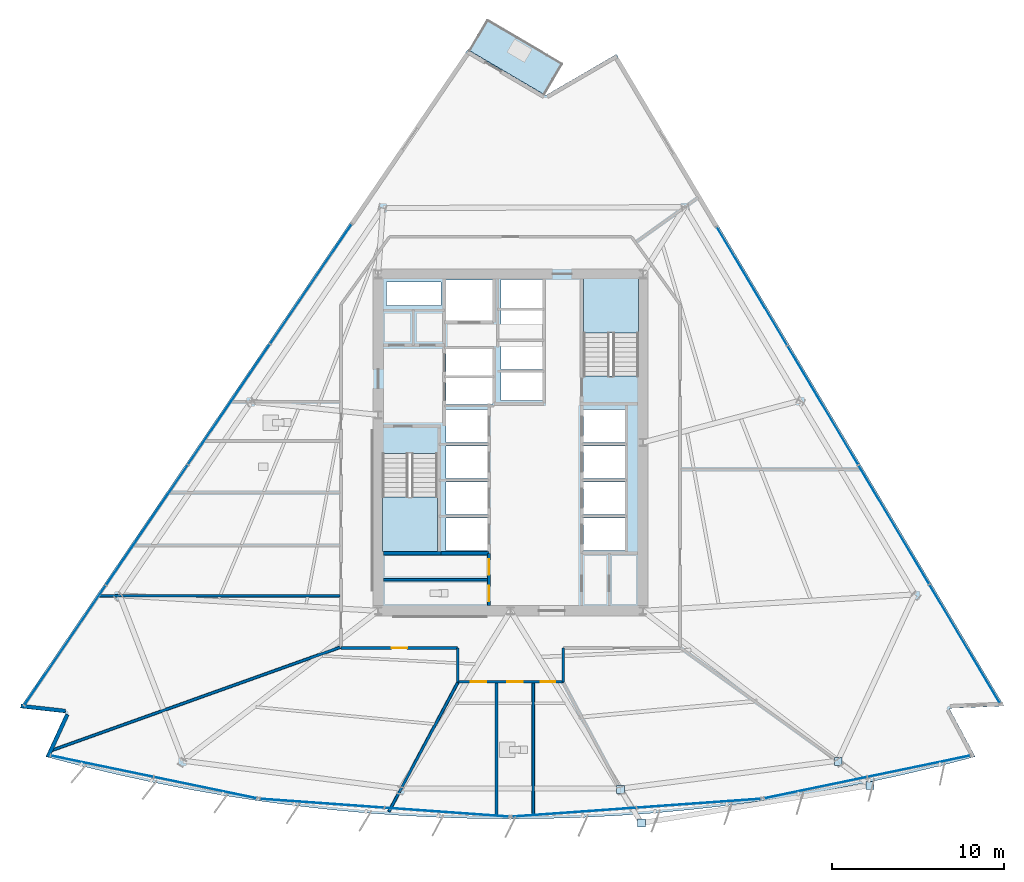
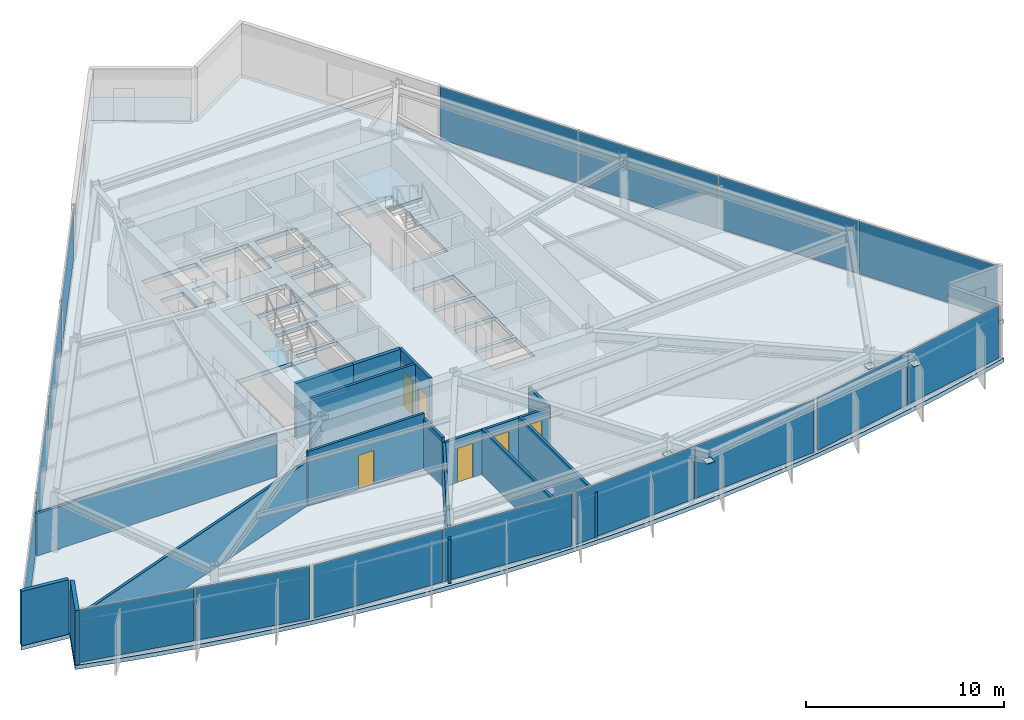
# One storey, part 7 of 15: 20 plates, 15 walls, 6 doors, 4 slabs, 6 openings, 8 elements without a shape of their own.
"""IFC4 building model written with IfcOpenShell, lengths in metres."""

from ifc_helpers import new_model, si_unit, direction, frame, frame_2d, origin, origin_2d, place, context, subcontext, project, spatial, polyline, rectangle, outline, extrude, material, layer, layer_set, type_object, element, fill, aggregate, save


model = new_model("IFC4")

# Units and contexts
model_context = context("Model", 3, precision=1e-05, world=origin(), true_north=direction((0.0, 1.0)))
body_context = subcontext(model_context, "Body", "Model", "MODEL_VIEW")
ifc_project = project(units=[si_unit("LENGTHUNIT", "METRE"), si_unit("AREAUNIT", "SQUARE_METRE"), si_unit("VOLUMEUNIT", "CUBIC_METRE"), si_unit("PLANEANGLEUNIT", "RADIAN"), si_unit("MASSUNIT", "GRAM", prefix="KILO")], contexts=[model_context])

# Site, building, storey
site_placement = place(None, origin())
site = spatial("IfcSite", under=ifc_project, at=site_placement, CompositionType="ELEMENT")
building_placement = place(site_placement, origin())
building = spatial("IfcBuilding", under=site, at=building_placement, Name="Savorim Split Tower", CompositionType="ELEMENT")
storey_placement = place(building_placement, frame((0.0, 0.0, 89.699951171875)))
storey = spatial("IfcBuildingStorey", under=building, at=storey_placement, Name="L23", CompositionType="ELEMENT", Elevation=89.699951171875)

# Curtain wall, plates
ifc_material_1 = material(Name="Dark Ceramic-Fritted Insulated Glass", Category="glass")
curtain_wall_type = type_object("IfcCurtainWallType", Name="CW-TWR-FRIT-A", PredefinedType="NOTDEFINED", material=ifc_material_1)
curtain_wall_1_placement = place(storey_placement, origin())
curtain_wall_1 = element("IfcCurtainWall", 1, at=curtain_wall_1_placement, inside=storey, type_object=curtain_wall_type, Name="L23 Curtain Wall CW-L23-SF1", PredefinedType="NOTDEFINED")
ifc_layer_1 = layer(ifc_material_1, 0.028076171875)
ifc_layer_set_1 = layer_set([ifc_layer_1], Name="CWP-FRITA-28")
plate_type_1 = type_object("IfcPlateType", Name="CWP-FRITA-28", PredefinedType="CURTAIN_PANEL", material=ifc_layer_set_1)
plate_1_placement = place(storey_placement, frame((-23.7607421875, -18.440673828125, 0.05517578125), z_axis=(0.0, 0.0, 1.0), x_axis=(0.979135145772, -0.203210153081, 0.0)))
plate_1 = element("IfcPlate", 2, at=plate_1_placement, type_object=plate_type_1, Name="CW-02 panel 1.1", PredefinedType="CURTAIN_PANEL", context=body_context, shape_type="SweptSolid", body=[
    extrude(rectangle(XDim=6.072021484375, YDim=0.028076171875, at=origin_2d()), origin(), (0.0, 0.0, 1.0), 3.239990234375),
])
plate_2_placement = place(storey_placement, frame((-17.751708984375, -19.687744140625, 0.05517578125), z_axis=(0.0, 0.0, 1.0), x_axis=(0.979135145772, -0.203210153081, 0.0)))
plate_2 = element("IfcPlate", 3, at=plate_2_placement, type_object=plate_type_1, Name="CW-02 panel 2.1", PredefinedType="CURTAIN_PANEL", context=body_context, shape_type="SweptSolid", body=[
    extrude(rectangle(XDim=6.072021484375, YDim=0.028076171875, at=origin_2d()), origin(), (0.0, 0.0, 1.0), 3.239990234375),
])
aggregate(curtain_wall_1, [plate_1, plate_2])

curtain_wall_2_placement = place(storey_placement, origin())
curtain_wall_2 = element("IfcCurtainWall", 4, at=curtain_wall_2_placement, inside=storey, type_object=curtain_wall_type, Name="L23 Curtain Wall CW-L23-SF2", PredefinedType="NOTDEFINED")
plate_3_placement = place(storey_placement, frame((-10.9560546875, -20.594482421875, 0.05517578125), z_axis=(0.0, 0.0, 1.0), x_axis=(0.997436258114, -0.071560540796, 0.0)))
plate_3 = element("IfcPlate", 5, at=plate_3_placement, type_object=plate_type_1, Name="CW-02 panel 1.1", PredefinedType="CURTAIN_PANEL", context=body_context, shape_type="SweptSolid", body=[
    extrude(rectangle(XDim=7.201904296875, YDim=0.028076171875, at=origin_2d()), origin(), (0.0, 0.0, 1.0), 3.239990234375),
])
plate_4_placement = place(storey_placement, frame((-3.707763671875, -21.114501953125, 0.05517578125), z_axis=(0.0, 0.0, 1.0), x_axis=(0.997436258114, -0.071560540796, 0.0)))
plate_4 = element("IfcPlate", 6, at=plate_4_placement, type_object=plate_type_1, Name="CW-02 panel 2.1", PredefinedType="CURTAIN_PANEL", context=body_context, shape_type="SweptSolid", body=[
    extrude(rectangle(XDim=7.201904296875, YDim=0.028076171875, at=origin_2d()), origin(), (0.0, 0.0, 1.0), 3.239990234375),
])
aggregate(curtain_wall_2, [plate_3, plate_4])

curtain_wall_3_placement = place(storey_placement, origin())
curtain_wall_3 = element("IfcCurtainWall", 7, at=curtain_wall_3_placement, inside=storey, type_object=curtain_wall_type, Name="L23 Curtain Wall CW-L23-SF3", PredefinedType="NOTDEFINED")
plate_5_placement = place(storey_placement, frame((3.707763671875, -21.114501953125, 0.05517578125), z_axis=(0.0, 0.0, 1.0), x_axis=(0.997436258114, 0.071560540796, 0.0)))
plate_5 = element("IfcPlate", 8, at=plate_5_placement, type_object=plate_type_1, Name="CW-02 panel 1.1", PredefinedType="CURTAIN_PANEL", context=body_context, shape_type="SweptSolid", body=[
    extrude(rectangle(XDim=7.201904296875, YDim=0.028076171875, at=origin_2d()), origin(), (0.0, 0.0, 1.0), 3.239990234375),
])
plate_6_placement = place(storey_placement, frame((10.9560546875, -20.594482421875, 0.05517578125), z_axis=(0.0, 0.0, 1.0), x_axis=(0.997436258114, 0.071560540796, 0.0)))
plate_6 = element("IfcPlate", 9, at=plate_6_placement, type_object=plate_type_1, Name="CW-02 panel 2.1", PredefinedType="CURTAIN_PANEL", context=body_context, shape_type="SweptSolid", body=[
    extrude(rectangle(XDim=7.201904296875, YDim=0.028076171875, at=origin_2d()), origin(), (0.0, 0.0, 1.0), 3.239990234375),
])
aggregate(curtain_wall_3, [plate_5, plate_6])

curtain_wall_4_placement = place(storey_placement, origin())
curtain_wall_4 = element("IfcCurtainWall", 10, at=curtain_wall_4_placement, inside=storey, type_object=curtain_wall_type, Name="L23 Curtain Wall CW-L23-SF4", PredefinedType="NOTDEFINED")
plate_7_placement = place(storey_placement, frame((17.751708984375, -19.687744140625, 0.05517578125), z_axis=(0.0, 0.0, 1.0), x_axis=(0.979135145772, 0.203210153081, 0.0)))
plate_7 = element("IfcPlate", 11, at=plate_7_placement, type_object=plate_type_1, Name="CW-02 panel 1.1", PredefinedType="CURTAIN_PANEL", context=body_context, shape_type="SweptSolid", body=[
    extrude(rectangle(XDim=6.072021484375, YDim=0.028076171875, at=origin_2d()), origin(), (0.0, 0.0, 1.0), 3.239990234375),
])
plate_8_placement = place(storey_placement, frame((23.7607421875, -18.440673828125, 0.05517578125), z_axis=(0.0, 0.0, 1.0), x_axis=(0.979135145772, 0.203210153081, 0.0)))
plate_8 = element("IfcPlate", 12, at=plate_8_placement, type_object=plate_type_1, Name="CW-02 panel 2.1", PredefinedType="CURTAIN_PANEL", context=body_context, shape_type="SweptSolid", body=[
    extrude(rectangle(XDim=6.072021484375, YDim=0.028076171875, at=origin_2d()), origin(), (0.0, 0.0, 1.0), 3.239990234375),
])
aggregate(curtain_wall_4, [plate_7, plate_8])

curtain_wall_5_placement = place(storey_placement, origin())
curtain_wall_5 = element("IfcCurtainWall", 13, at=curtain_wall_5_placement, inside=storey, type_object=curtain_wall_type, Name="L23 Curtain Wall CW-L23-EAST", PredefinedType="NOTDEFINED")
plate_9_placement = place(storey_placement, frame((26.423583984375, -11.32275390625, 0.05517578125), z_axis=(0.0, 0.0, 1.0), x_axis=(-0.511094481315, 0.859524537852, 0.0)))
plate_9 = element("IfcPlate", 14, at=plate_9_placement, type_object=plate_type_1, Name="CW-02 panel 1.1", PredefinedType="CURTAIN_PANEL", context=body_context, shape_type="SweptSolid", body=[
    extrude(rectangle(XDim=7.983154296875, YDim=0.028076171875, at=origin_2d()), origin(), (0.0, 0.0, 1.0), 3.239990234375),
])
plate_10_placement = place(storey_placement, frame((22.3017578125, -4.39111328125, 0.05517578125), z_axis=(0.0, 0.0, 1.0), x_axis=(-0.511094481315, 0.859524537852, 0.0)))
plate_10 = element("IfcPlate", 15, at=plate_10_placement, type_object=plate_type_1, Name="CW-02 panel 2.1", PredefinedType="CURTAIN_PANEL", context=body_context, shape_type="SweptSolid", body=[
    extrude(rectangle(XDim=8.015625, YDim=0.028076171875, at=origin_2d()), origin(), (0.0, 0.0, 1.0), 3.239990234375),
])
plate_11_placement = place(storey_placement, frame((18.171630859375, 2.554443359375, 0.05517578125), z_axis=(0.0, 0.0, 1.0), x_axis=(-0.511094481315, 0.859524537852, 0.0)))
plate_11 = element("IfcPlate", 16, at=plate_11_placement, type_object=plate_type_1, Name="CW-02 panel 3.1", PredefinedType="CURTAIN_PANEL", context=body_context, shape_type="SweptSolid", body=[
    extrude(rectangle(XDim=8.015625, YDim=0.028076171875, at=origin_2d()), origin(), (0.0, 0.0, 1.0), 3.239990234375),
])
plate_12_placement = place(storey_placement, frame((14.050048828125, 9.486083984375, 0.05517578125), z_axis=(0.0, 0.0, 1.0), x_axis=(-0.511094481315, 0.859524537852, 0.0)))
plate_12 = element("IfcPlate", 17, at=plate_12_placement, type_object=plate_type_1, Name="CW-02 panel 4.1", PredefinedType="CURTAIN_PANEL", context=body_context, shape_type="SweptSolid", body=[
    extrude(rectangle(XDim=7.983154296875, YDim=0.028076171875, at=origin_2d()), origin(), (0.0, 0.0, 1.0), 3.239990234375),
])
aggregate(curtain_wall_5, [plate_9, plate_10, plate_11, plate_12])

curtain_wall_6_placement = place(storey_placement, origin())
curtain_wall_6 = element("IfcCurtainWall", 18, at=curtain_wall_6_placement, inside=storey, type_object=curtain_wall_type, Name="L23 Curtain Wall CW-L23-WEST", PredefinedType="NOTDEFINED")
plate_13_placement = place(storey_placement, frame((-11.61328125, 9.613525390625, 0.05517578125), z_axis=(0.0, 0.0, 1.0), x_axis=(-0.562467515846, -0.826819383915, 0.0)))
plate_13 = element("IfcPlate", 19, at=plate_13_placement, type_object=plate_type_1, Name="CW-02 panel 1.1", PredefinedType="CURTAIN_PANEL", context=body_context, shape_type="SweptSolid", body=[
    extrude(rectangle(XDim=8.39013671875, YDim=0.028076171875, at=origin_2d()), origin(), (0.0, 0.0, 1.0), 3.239990234375),
])
plate_14_placement = place(storey_placement, frame((-16.378173828125, 2.609375, 0.05517578125), z_axis=(0.0, 0.0, 1.0), x_axis=(-0.562467515846, -0.826819383915, 0.0)))
plate_14 = element("IfcPlate", 20, at=plate_14_placement, type_object=plate_type_1, Name="CW-02 panel 2.1", PredefinedType="CURTAIN_PANEL", context=body_context, shape_type="SweptSolid", body=[
    extrude(rectangle(XDim=8.422607421875, YDim=0.028076171875, at=origin_2d()), origin(), (0.0, 0.0, 1.0), 3.239990234375),
])
plate_15_placement = place(storey_placement, frame((-21.15234375, -4.408447265625, 0.05517578125), z_axis=(0.0, 0.0, 1.0), x_axis=(-0.562467515846, -0.826819383915, 0.0)))
plate_15 = element("IfcPlate", 21, at=plate_15_placement, type_object=plate_type_1, Name="CW-02 panel 3.1", PredefinedType="CURTAIN_PANEL", context=body_context, shape_type="SweptSolid", body=[
    extrude(rectangle(XDim=8.422607421875, YDim=0.028076171875, at=origin_2d()), origin(), (0.0, 0.0, 1.0), 3.239990234375),
])
plate_16_placement = place(storey_placement, frame((-25.917236328125, -11.412841796875, 0.05517578125), z_axis=(0.0, 0.0, 1.0), x_axis=(-0.562467515846, -0.826819383915, 0.0)))
plate_16 = element("IfcPlate", 22, at=plate_16_placement, type_object=plate_type_1, Name="CW-02 panel 4.1", PredefinedType="CURTAIN_PANEL", context=body_context, shape_type="SweptSolid", body=[
    extrude(rectangle(XDim=8.39013671875, YDim=0.028076171875, at=origin_2d()), origin(), (0.0, 0.0, 1.0), 3.239990234375),
])
aggregate(curtain_wall_6, [plate_13, plate_14, plate_15, plate_16])

# Plates
ifc_material_2 = material(Name="Steel S460", Category="steel")
ifc_layer_2 = layer(ifc_material_2, 0.02490234375)
ifc_layer_set_2 = layer_set([ifc_layer_2], Name="PLT-NODE-CN1")
plate_type_2 = type_object("IfcPlateType", Name="PLT-NODE-CN1", PredefinedType="SHEET", material=ifc_layer_set_2)
for number, where, z_axis, x_axis, name in (
    (23, (6.3916015625, -19.78564453125, 2.4375), (0.0, 0.0, 1.0), (1.0, 0.0, 0.0), "L23 Bay Strut Column Gusset Plate 1"),
    (24, (7.617919921875, -21.7451171875, 2.8076171875), (0.0, 0.0, 1.0), (1.0, 0.0, 0.0), "L23 Bay Strut Tip Gusset Plate 1"),
    (25, (19.071044921875, -18.15771484375, 2.4375), (0.0, 0.0, 1.0), (1.0, 0.0, 0.0), "L23 Bay Strut Column Gusset Plate 2"),
    (26, (20.91064453125, -19.55126953125, 2.8076171875), (0.0, 0.0, 1.0), (1.0, 0.0, 0.0), "L23 Bay Strut Tip Gusset Plate 2"),
):
    element("IfcPlate", number, at=place(storey_placement, frame(where, z_axis=z_axis, x_axis=x_axis)), inside=storey, type_object=plate_type_2, Name=name, PredefinedType="SHEET", context=body_context, shape_type="SweptSolid", body=[
        extrude(rectangle(XDim=0.4599609375, YDim=0.4599609375, at=origin_2d()), origin(), (0.0, 0.0, 1.0), 0.02490234375),
    ])

# Slab
ifc_material_3 = material(Name="Concrete C50/60", Category="concrete")
ifc_layer_3 = layer(ifc_material_3, 0.219970703125)
ifc_layer_set_3 = layer_set([ifc_layer_3], Name="SLB-BAL-220")
slab_type_1 = type_object("IfcSlabType", Name="SLB-BAL-220", PredefinedType="FLOOR", material=ifc_layer_set_3)
slab_1_placement = place(storey_placement, frame((0.0, 0.0, -0.219970703125)))
element("IfcSlab", 27, at=slab_1_placement, inside=storey, type_object=slab_type_1, Name="L23 Notched Corner Planted Tree Balcony Slab", PredefinedType="FLOOR", context=body_context, shape_type="SweptSolid", body=[
    extrude(outline(polyline([(-2.377197265625, 23.191650390625), (1.94580078125, 20.650634765625), (2.98193359375, 22.413818359375), (-1.341064453125, 24.95458984375), (-2.377197265625, 23.191650390625)])), origin(), (0.0, 0.0, 1.0), 0.219970703125),
])

# Stair, slab
stair_type = type_object("IfcStairType", Name="STR-DOG-3600", PredefinedType="HALF_TURN_STAIR", material=ifc_material_3)
stair_1_placement = place(storey_placement, origin())
stair_1 = element("IfcStair", 28, at=stair_1_placement, inside=storey, type_object=stair_type, Name="L23 Core Protected Exit Stair ST-1", PredefinedType="HALF_TURN_STAIR")
ifc_layer_4 = layer(ifc_material_3, 0.199951171875)
ifc_layer_set_4 = layer_set([ifc_layer_4], Name="SLB-LND-200")
slab_type_2 = type_object("IfcSlabType", Name="SLB-LND-200", PredefinedType="LANDING", material=ifc_layer_set_4)
slab_2_placement = place(storey_placement, frame((0.0, 0.0, 1.60009765625)))
slab_2 = element("IfcSlab", 29, at=slab_2_placement, type_object=slab_type_2, Name="ST-1 landing 1", PredefinedType="LANDING", context=body_context, shape_type="SweptSolid", body=[
    extrude(outline(polyline([(-7.449951171875, -2.77001953125), (-7.449951171875, -5.949951171875), (-4.25, -5.949951171875), (-4.25, -2.77001953125), (-7.449951171875, -2.77001953125)])), origin(), (0.0, 0.0, 1.0), 0.199951171875),
])
aggregate(stair_1, [slab_2])

stair_2_placement = place(storey_placement, origin())
stair_2 = element("IfcStair", 30, at=stair_2_placement, inside=storey, type_object=stair_type, Name="L23 Core Protected Exit Stair ST-2", PredefinedType="HALF_TURN_STAIR")
slab_3_placement = place(storey_placement, frame((0.0, 0.0, 1.60009765625)))
slab_3 = element("IfcSlab", 31, at=slab_3_placement, type_object=slab_type_2, Name="ST-2 landing 1", PredefinedType="LANDING", context=body_context, shape_type="SweptSolid", body=[
    extrude(outline(polyline([(7.449951171875, 6.77001953125), (7.449951171875, 9.949951171875), (4.25, 9.949951171875), (4.25, 6.77001953125), (7.449951171875, 6.77001953125)])), origin(), (0.0, 0.0, 1.0), 0.199951171875),
])
aggregate(stair_2, [slab_3])

# Slab
ifc_layer_5 = layer(ifc_material_3, 0.25)
ifc_layer_set_5 = layer_set([ifc_layer_5], Name="SLB-TWR-250")
slab_type_3 = type_object("IfcSlabType", Name="SLB-TWR-250", PredefinedType="FLOOR", material=ifc_layer_set_5)
slab_4_placement = place(storey_placement, frame((0.0, 0.0, -0.25)))
element("IfcSlab", 32, at=slab_4_placement, inside=storey, type_object=slab_type_3, Name="L23 Structural Floor Slab", PredefinedType="FLOOR", context=body_context, shape_type="SweptSolid", body=[
    extrude(outline(polyline([(-27.036865234375, -17.88330078125), (-25.000732421875, -18.415771484375), (-22.954345703125, -18.90625), (-20.898193359375, -19.35498046875), (-18.83349609375, -19.76171875), (-16.7607421875, -20.125732421875), (-14.68115234375, -20.447509765625), (-12.59521484375, -20.7265625), (-10.504150390625, -20.962890625), (-8.40869140625, -21.156494140625), (-6.3095703125, -21.30712890625), (-4.207763671875, -21.414794921875), (-2.104248046875, -21.479248046875), (0.0, -21.500732421875), (2.104248046875, -21.479248046875), (4.207763671875, -21.414794921875), (6.3095703125, -21.30712890625), (8.40869140625, -21.156494140625), (10.504150390625, -20.962890625), (12.59521484375, -20.7265625), (14.68115234375, -20.447509765625), (16.7607421875, -20.125732421875), (18.83349609375, -19.76171875), (20.898193359375, -19.35498046875), (22.954345703125, -18.90625), (25.000732421875, -18.415771484375), (27.036865234375, -17.88330078125), (25.52880859375, -15.072998046875), (28.71240234375, -14.9375), (6.1630859375, 22.984619140625), (2.046875, 20.585693359375), (-2.4833984375, 23.248046875), (-28.536376953125, -15.049560546875), (-25.87158203125, -15.34716796875), (-27.036865234375, -17.88330078125)]), holes=[polyline([(-7.449951171875, -0.25390625), (-7.449951171875, -5.949951171875), (-4.25, -5.949951171875), (-4.25, -0.25390625), (-7.449951171875, -0.25390625)]), polyline([(7.449951171875, 4.25390625), (7.449951171875, 9.949951171875), (4.25, 9.949951171875), (4.25, 4.25390625), (7.449951171875, 4.25390625)]), polyline([(4.25, -5.89990234375), (6.64990234375, -5.89990234375), (6.64990234375, -4.0), (4.25, -4.0), (4.25, -5.89990234375)]), polyline([(4.25, -3.800048828125), (6.64990234375, -3.800048828125), (6.64990234375, -1.89990234375), (4.25, -1.89990234375), (4.25, -3.800048828125)]), polyline([(4.25, -1.699951171875), (6.64990234375, -1.699951171875), (6.64990234375, 0.199951171875), (4.25, 0.199951171875), (4.25, -1.699951171875)]), polyline([(4.25, 0.39990234375), (6.64990234375, 0.39990234375), (6.64990234375, 2.300048828125), (4.25, 2.300048828125), (4.25, 0.39990234375)]), polyline([(-3.75, -5.89990234375), (-1.35009765625, -5.89990234375), (-1.35009765625, -4.0), (-3.75, -4.0), (-3.75, -5.89990234375)]), polyline([(-3.75, -3.800048828125), (-1.35009765625, -3.800048828125), (-1.35009765625, -1.89990234375), (-3.75, -1.89990234375), (-3.75, -3.800048828125)]), polyline([(-3.75, -1.699951171875), (-1.35009765625, -1.699951171875), (-1.35009765625, 0.199951171875), (-3.75, 0.199951171875), (-3.75, -1.699951171875)]), polyline([(-3.75, 0.39990234375), (-1.35009765625, 0.39990234375), (-1.35009765625, 2.300048828125), (-3.75, 2.300048828125), (-3.75, 0.39990234375)]), polyline([(-0.550048828125, 2.830078125), (1.85009765625, 2.830078125), (1.85009765625, 4.469970703125), (-0.550048828125, 4.469970703125), (-0.550048828125, 2.830078125)]), polyline([(-0.550048828125, 4.6298828125), (1.85009765625, 4.6298828125), (1.85009765625, 6.27001953125), (-0.550048828125, 6.27001953125), (-0.550048828125, 4.6298828125)]), polyline([(-0.550048828125, 6.429931640625), (1.85009765625, 6.429931640625), (1.85009765625, 8.070068359375), (-0.550048828125, 8.070068359375), (-0.550048828125, 6.429931640625)]), polyline([(-0.550048828125, 8.22998046875), (1.85009765625, 8.22998046875), (1.85009765625, 9.8701171875), (-0.550048828125, 9.8701171875), (-0.550048828125, 8.22998046875)]), polyline([(-3.75, 2.60009765625), (-1.050048828125, 2.60009765625), (-1.050048828125, 4.159912109375), (-3.75, 4.159912109375), (-3.75, 2.60009765625)]), polyline([(-3.75, 4.280029296875), (-1.050048828125, 4.280029296875), (-1.050048828125, 5.840087890625), (-3.75, 5.840087890625), (-3.75, 4.280029296875)]), polyline([(-3.75, 7.449951171875), (-0.949951171875, 7.449951171875), (-0.949951171875, 9.85009765625), (-3.75, 9.85009765625), (-3.75, 7.449951171875)]), polyline([(-7.219970703125, 6.320068359375), (-5.919921875, 6.320068359375), (-5.919921875, 7.820068359375), (-7.219970703125, 7.820068359375), (-7.219970703125, 6.320068359375)]), polyline([(-5.3798828125, 6.320068359375), (-4.050048828125, 6.320068359375), (-4.050048828125, 7.820068359375), (-5.3798828125, 7.820068359375), (-5.3798828125, 6.320068359375)]), polyline([(-7.219970703125, 8.360107421875), (-4.050048828125, 8.360107421875), (-4.050048828125, 9.719970703125), (-7.219970703125, 9.719970703125), (-7.219970703125, 8.360107421875)])]), origin(), (0.0, 0.0, 1.0), 0.25),
])

# Walls
ifc_material_4 = material(Name="Precast concrete C40/50", Category="concrete")
ifc_layer_6 = layer(ifc_material_4, 0.219970703125)
ifc_layer_set_6 = layer_set([ifc_layer_6], Name="WAL-EXT-CRN220")
wall_type_1 = type_object("IfcWallType", Name="WAL-EXT-CRN220", PredefinedType="SOLIDWALL", material=ifc_layer_set_6)
wall_1_placement = place(storey_placement, frame((-25.89794921875, -15.223388671875, 0.0), z_axis=(0.0, 0.0, 1.0), x_axis=(-0.993827522589, 0.110936267041, 0.0)))
element("IfcWall", 33, at=wall_1_placement, inside=storey, type_object=wall_type_1, Name="L23 Notched Corner Facade Wall SW1", PredefinedType="SOLIDWALL", context=body_context, shape_type="SweptSolid", body=[
    extrude(rectangle(XDim=2.601318359375, YDim=0.219970703125, at=frame_2d((1.30078125, 0.0))), origin(), (0.0, 0.0, 1.0), 3.35009765625),
])
wall_2_placement = place(storey_placement, frame((-26.9111328125, -17.89697265625, 0.0), z_axis=(0.0, 0.0, 1.0), x_axis=(0.417504190978, 0.908674997189, 0.0)))
element("IfcWall", 34, at=wall_2_placement, inside=storey, type_object=wall_type_1, Name="L23 Notched Corner Facade Wall SW", PredefinedType="SOLIDWALL", context=body_context, shape_type="SweptSolid", body=[
    extrude(rectangle(XDim=2.7109375, YDim=0.219970703125, at=frame_2d((1.35546875, 0.0))), origin(), (0.0, 0.0, 1.0), 3.35009765625),
])
ifc_layer_7 = layer(ifc_material_3, 0.199951171875)
ifc_layer_set_7 = layer_set([ifc_layer_7], Name="WAL-INT-RC200")
wall_type_2 = type_object("IfcWallType", Name="WAL-INT-RC200", PredefinedType="SOLIDWALL", material=ifc_layer_set_7)
wall_3_placement = place(storey_placement, frame((-7.39990234375, -6.050048828125, 0.0), z_axis=(0.0, 0.0, 1.0), x_axis=(1.0, 0.0, 0.0)))
element("IfcWall", 35, at=wall_3_placement, inside=storey, type_object=wall_type_2, Name="L23 Structural Shaft Wall W-L23-KSEP-W", PredefinedType="SOLIDWALL", context=body_context, shape_type="SweptSolid", body=[
    extrude(rectangle(XDim=3.349853515625, YDim=0.199951171875, at=frame_2d((1.6748046875, 0.0))), origin(), (0.0, 0.0, 1.0), 3.35009765625),
])
wall_4_placement = place(storey_placement, frame((-4.0400390625, -6.050048828125, 0.0), z_axis=(0.0, 0.0, 1.0), x_axis=(1.0, 0.0, 0.0)))
element("IfcWall", 36, at=wall_4_placement, inside=storey, type_object=wall_type_2, Name="L23 Partition W-L23-KSEP-W2", PredefinedType="SOLIDWALL", context=body_context, shape_type="SweptSolid", body=[
    extrude(rectangle(XDim=2.7900390625, YDim=0.199951171875, at=frame_2d((1.39501953125, 0.0))), origin(), (0.0, 0.0, 1.0), 3.35009765625),
])

# Wall, openings, doors
ifc_material_5 = material(Name="Acoustic Gypsum Partition Board")
ifc_layer_8 = layer(ifc_material_5, 0.14990234375)
ifc_layer_set_8 = layer_set([ifc_layer_8], Name="WAL-PAR-150")
wall_type_3 = type_object("IfcWallType", Name="WAL-PAR-150", PredefinedType="PARTITIONING", material=ifc_layer_set_8)
wall_5_placement = place(storey_placement, frame((-1.25, -9.094970703125, 0.0), z_axis=(0.0, 0.0, 1.0), x_axis=(0.0, 1.0, 0.0)))
wall_5 = element("IfcWall", 37, at=wall_5_placement, inside=storey, type_object=wall_type_3, Name="L23 Partition W-L23-KLOB-W", PredefinedType="PARTITIONING", context=body_context, shape_type="SweptSolid", body=[
    extrude(rectangle(XDim=3.044921875, YDim=0.14990234375, at=frame_2d((1.5224609375, 0.0))), origin(), (0.0, 0.0, 1.0), 3.35009765625),
])
opening_1_placement = place(wall_5_placement, frame((1.794921875, 0.0, 0.0)))
opening_1 = element("IfcOpeningElement", 38, at=opening_1_placement, cuts=wall_5, Name="Opening DI-06", PredefinedType="OPENING", context=body_context, shape_type="SweptSolid", body=[
    extrude(rectangle(XDim=0.89990234375, YDim=2.10009765625, at=frame_2d((0.449951171875, 1.050048828125))), frame((0.0, 0.0849609375, 0.0), z_axis=(0.0, -1.0, 0.0), x_axis=(1.0, 0.0, 0.0)), (0.0, 0.0, 1.0), 0.169921875),
])
opening_2_placement = place(wall_5_placement, frame((0.2451171875, 0.0, 0.0)))
opening_2 = element("IfcOpeningElement", 39, at=opening_2_placement, cuts=wall_5, Name="Opening DI-11", PredefinedType="OPENING", context=body_context, shape_type="SweptSolid", body=[
    extrude(rectangle(XDim=0.89990234375, YDim=2.10009765625, at=frame_2d((0.449951171875, 1.050048828125))), frame((0.0, 0.0849609375, 0.0), z_axis=(0.0, -1.0, 0.0), x_axis=(1.0, 0.0, 0.0)), (0.0, 0.0, 1.0), 0.169921875),
])
ifc_material_6 = material(Name="Timber Fire Door Leaf", Category="wood")
door_type_1 = type_object("IfcDoorType", Name="DOR-FIR-900", OperationType="NOTDEFINED", PredefinedType="DOOR", material=ifc_material_6)
door_1_placement = place(opening_1_placement, origin())
door_1 = element("IfcDoor", 40, at=door_1_placement, inside=storey, type_object=door_type_1, Name="DR-L23-K2CLN - L23 Cleaning Store Door", OperationType="SINGLE_SWING_LEFT", OverallHeight=2.10009765625, OverallWidth=0.89990234375, PredefinedType="DOOR", context=body_context, shape_type="SweptSolid", body=[
    extrude(rectangle(XDim=0.89990234375, YDim=2.10009765625, at=frame_2d((0.449951171875, 1.050048828125))), frame((0.0, 0.02490234375, 0.0), z_axis=(0.0, -1.0, 0.0), x_axis=(1.0, 0.0, 0.0)), (0.0, 0.0, 1.0), 0.050048828125),
])
fill(opening_1, door_1)
ifc_material_7 = material(Name="Oak Veneer Acoustic Door")
door_type_2 = type_object("IfcDoorType", Name="DOR-WC-900", OperationType="NOTDEFINED", PredefinedType="DOOR", material=ifc_material_7)
door_2_placement = place(opening_2_placement, origin())
door_2 = element("IfcDoor", 41, at=door_2_placement, inside=storey, type_object=door_type_2, Name="DR-L23-K2WC - L23 Core WC Door", OperationType="SINGLE_SWING_RIGHT", OverallHeight=2.10009765625, OverallWidth=0.89990234375, PredefinedType="DOOR", context=body_context, shape_type="SweptSolid", body=[
    extrude(rectangle(XDim=0.89990234375, YDim=2.10009765625, at=frame_2d((0.449951171875, 1.050048828125))), frame((0.0, 0.02490234375, 0.0), z_axis=(0.0, -1.0, 0.0), x_axis=(1.0, 0.0, 0.0)), (0.0, 0.0, 1.0), 0.050048828125),
])
fill(opening_2, door_2)

# Walls
wall_6_placement = place(storey_placement, frame((-7.39501953125, -7.580078125, 0.0), z_axis=(0.0, 0.0, 1.0), x_axis=(1.0, 0.0, 0.0)))
element("IfcWall", 42, at=wall_6_placement, inside=storey, type_object=wall_type_3, Name="L23 Partition W-L23-K2H", PredefinedType="PARTITIONING", context=body_context, shape_type="SweptSolid", body=[
    extrude(rectangle(XDim=6.14501953125, YDim=0.14990234375, at=frame_2d((3.072509765625, 0.0))), origin(), (0.0, 0.0, 1.0), 3.35009765625),
])
wall_7_placement = place(storey_placement, frame((3.080078125, -11.56005859375, 0.0), z_axis=(0.0, 0.0, 1.0), x_axis=(0.0, -1.0, 0.0)))
element("IfcWall", 43, at=wall_7_placement, inside=storey, type_object=wall_type_3, Name="L23 Partition W-L23-COR-07", PredefinedType="PARTITIONING", context=body_context, shape_type="SweptSolid", body=[
    extrude(rectangle(XDim=1.969970703125, YDim=0.14990234375, at=frame_2d((0.98486328125, 0.0))), origin(), (0.0, 0.0, 1.0), 2.775146484375),
])

# Wall, openings, doors
wall_8_placement = place(storey_placement, frame((3.080078125, -13.530029296875, 0.0), z_axis=(0.0, 0.0, 1.0), x_axis=(-1.0, 0.0, 0.0)))
wall_8 = element("IfcWall", 44, at=wall_8_placement, inside=storey, type_object=wall_type_3, Name="L23 Partition W-L23-COR-08", PredefinedType="PARTITIONING", context=body_context, shape_type="SweptSolid", body=[
    extrude(rectangle(XDim=6.16015625, YDim=0.14990234375, at=frame_2d((3.080078125, 0.0))), origin(), (0.0, 0.0, 1.0), 2.72509765625),
])
opening_3_placement = place(wall_8_placement, frame((4.487060546875, 0.0, 0.0)))
opening_3 = element("IfcOpeningElement", 45, at=opening_3_placement, cuts=wall_8, Name="Opening DI-06", PredefinedType="OPENING", context=body_context, shape_type="SweptSolid", body=[
    extrude(rectangle(XDim=0.89990234375, YDim=2.10009765625, at=frame_2d((0.449951171875, 1.050048828125))), frame((0.0, 0.0849609375, 0.0), z_axis=(0.0, -1.0, 0.0), x_axis=(1.0, 0.0, 0.0)), (0.0, 0.0, 1.0), 0.169921875),
])
opening_4_placement = place(wall_8_placement, frame((2.374267578125, 0.0, 0.0)))
opening_4 = element("IfcOpeningElement", 46, at=opening_4_placement, cuts=wall_8, Name="Opening DI-11", PredefinedType="OPENING", context=body_context, shape_type="SweptSolid", body=[
    extrude(rectangle(XDim=0.89990234375, YDim=2.10009765625, at=frame_2d((0.449951171875, 1.050048828125))), frame((0.0, 0.0849609375, 0.0), z_axis=(0.0, -1.0, 0.0), x_axis=(1.0, 0.0, 0.0)), (0.0, 0.0, 1.0), 0.169921875),
])
opening_5_placement = place(wall_8_placement, frame((0.477294921875, 0.0, 0.0)))
opening_5 = element("IfcOpeningElement", 47, at=opening_5_placement, cuts=wall_8, Name="Opening DI-13", PredefinedType="OPENING", context=body_context, shape_type="SweptSolid", body=[
    extrude(rectangle(XDim=0.85009765625, YDim=2.10009765625, at=frame_2d((0.425048828125, 1.050048828125))), frame((0.0, 0.0849609375, 0.0), z_axis=(0.0, -1.0, 0.0), x_axis=(1.0, 0.0, 0.0)), (0.0, 0.0, 1.0), 0.169921875),
])
door_type_3 = type_object("IfcDoorType", Name="DOR-FIR-850", OperationType="NOTDEFINED", PredefinedType="DOOR", material=ifc_material_6)
door_3_placement = place(opening_5_placement, origin())
door_3 = element("IfcDoor", 48, at=door_3_placement, inside=storey, type_object=door_type_3, Name="DR-L23-RM08 - L23 Co-Living Bedroom Entry Door", OperationType="SINGLE_SWING_LEFT", OverallHeight=2.10009765625, OverallWidth=0.85009765625, PredefinedType="DOOR", context=body_context, shape_type="SweptSolid", body=[
    extrude(rectangle(XDim=0.85009765625, YDim=2.10009765625, at=frame_2d((0.425048828125, 1.050048828125))), frame((0.0, 0.02490234375, 0.0), z_axis=(0.0, -1.0, 0.0), x_axis=(1.0, 0.0, 0.0)), (0.0, 0.0, 1.0), 0.050048828125),
])
fill(opening_5, door_3)
door_4_placement = place(opening_3_placement, origin())
door_4 = element("IfcDoor", 49, at=door_4_placement, inside=storey, type_object=door_type_1, Name="DR-L23-RM06 - L23 Co-Living Bedroom Entry Door", OperationType="SINGLE_SWING_LEFT", OverallHeight=2.10009765625, OverallWidth=0.89990234375, PredefinedType="DOOR", context=body_context, shape_type="SweptSolid", body=[
    extrude(rectangle(XDim=0.89990234375, YDim=2.10009765625, at=frame_2d((0.449951171875, 1.050048828125))), frame((0.0, 0.02490234375, 0.0), z_axis=(0.0, -1.0, 0.0), x_axis=(1.0, 0.0, 0.0)), (0.0, 0.0, 1.0), 0.050048828125),
])
fill(opening_3, door_4)
door_5_placement = place(opening_4_placement, origin())
door_5 = element("IfcDoor", 50, at=door_5_placement, inside=storey, type_object=door_type_2, Name="DR-L23-RM07 - L23 Shared Bathroom Entry Door", OperationType="SINGLE_SWING_RIGHT", OverallHeight=2.10009765625, OverallWidth=0.89990234375, PredefinedType="DOOR", context=body_context, shape_type="SweptSolid", body=[
    extrude(rectangle(XDim=0.89990234375, YDim=2.10009765625, at=frame_2d((0.449951171875, 1.050048828125))), frame((0.0, 0.02490234375, 0.0), z_axis=(0.0, -1.0, 0.0), x_axis=(1.0, 0.0, 0.0)), (0.0, 0.0, 1.0), 0.050048828125),
])
fill(opening_4, door_5)

# Wall
wall_9_placement = place(storey_placement, frame((-3.080078125, -13.530029296875, 0.0), z_axis=(0.0, 0.0, 1.0), x_axis=(0.0, 1.0, 0.0)))
element("IfcWall", 51, at=wall_9_placement, inside=storey, type_object=wall_type_3, Name="L23 Partition W-L23-COR-09", PredefinedType="PARTITIONING", context=body_context, shape_type="SweptSolid", body=[
    extrude(rectangle(XDim=1.969970703125, YDim=0.14990234375, at=frame_2d((0.98486328125, 0.0))), origin(), (0.0, 0.0, 1.0), 3.025146484375),
])

# Wall, opening, door
wall_10_placement = place(storey_placement, frame((-3.080078125, -11.56005859375, 0.0), z_axis=(0.0, 0.0, 1.0), x_axis=(-1.0, 0.0, 0.0)))
wall_10 = element("IfcWall", 52, at=wall_10_placement, inside=storey, type_object=wall_type_3, Name="L23 Partition W-L23-COR-10", PredefinedType="PARTITIONING", context=body_context, shape_type="SweptSolid", body=[
    extrude(rectangle(XDim=6.780029296875, YDim=0.14990234375, at=frame_2d((3.39013671875, 0.0))), origin(), (0.0, 0.0, 1.0), 3.35009765625),
])
opening_6_placement = place(wall_10_placement, frame((2.93994140625, 0.0, 0.0)))
opening_6 = element("IfcOpeningElement", 53, at=opening_6_placement, cuts=wall_10, Name="Opening DI-06", PredefinedType="OPENING", context=body_context, shape_type="SweptSolid", body=[
    extrude(rectangle(XDim=0.89990234375, YDim=2.10009765625, at=frame_2d((0.449951171875, 1.050048828125))), frame((0.0, 0.0849609375, 0.0), z_axis=(0.0, -1.0, 0.0), x_axis=(1.0, 0.0, 0.0)), (0.0, 0.0, 1.0), 0.169921875),
])
door_6_placement = place(opening_6_placement, origin())
door_6 = element("IfcDoor", 54, at=door_6_placement, inside=storey, type_object=door_type_1, Name="DR-L23-RM05 - L23 Co-Working Commons Entry Door", OperationType="SINGLE_SWING_RIGHT", OverallHeight=2.10009765625, OverallWidth=0.89990234375, PredefinedType="DOOR", context=body_context, shape_type="SweptSolid", body=[
    extrude(rectangle(XDim=0.89990234375, YDim=2.10009765625, at=frame_2d((0.449951171875, 1.050048828125))), frame((0.0, 0.02490234375, 0.0), z_axis=(0.0, -1.0, 0.0), x_axis=(1.0, 0.0, 0.0)), (0.0, 0.0, 1.0), 0.050048828125),
])
fill(opening_6, door_6)

# Walls
wall_11_placement = place(storey_placement, frame((-3.06591796875, -13.573486328125, 0.0), z_axis=(0.0, 0.0, 1.0), x_axis=(-0.471121088046, -0.882068546315, 0.0)))
element("IfcWall", 55, at=wall_11_placement, inside=storey, type_object=wall_type_3, Name="L23 Partition W-L23-PRAD02", PredefinedType="PARTITIONING", context=body_context, shape_type="SweptSolid", body=[
    extrude(rectangle(XDim=8.51220703125, YDim=0.14990234375, at=frame_2d((4.256103515625, 0.0))), origin(), (0.0, 0.0, 1.0), 2.72509765625),
])
wall_12_placement = place(storey_placement, frame((-9.919921875, -8.53173828125, 0.0), z_axis=(0.0, 0.0, 1.0), x_axis=(-1.0, 0.0, 0.0)))
element("IfcWall", 56, at=wall_12_placement, inside=storey, type_object=wall_type_3, Name="L23 Partition W-L23-PRAD10", PredefinedType="PARTITIONING", context=body_context, shape_type="SweptSolid", body=[
    extrude(rectangle(XDim=13.976806640625, YDim=0.14990234375, at=frame_2d((6.98828125, 0.0))), origin(), (0.0, 0.0, 1.0), 2.609130859375),
])
wall_13_placement = place(storey_placement, frame((-0.8125, -13.590087890625, 0.0), z_axis=(0.0, 0.0, 1.0), x_axis=(0.0, -1.0, 0.0)))
element("IfcWall", 57, at=wall_13_placement, inside=storey, type_object=wall_type_3, Name="L23 Partition W-L23-SUB02", PredefinedType="PARTITIONING", context=body_context, shape_type="SweptSolid", body=[
    extrude(rectangle(XDim=7.732421875, YDim=0.14990234375, at=frame_2d((3.8662109375, 0.0))), origin(), (0.0, 0.0, 1.0), 2.8349609375),
])
wall_14_placement = place(storey_placement, frame((-9.91357421875, -11.5205078125, 0.0), z_axis=(0.0, 0.0, 1.0), x_axis=(-0.941614047517, -0.33669420179, 0.0)))
element("IfcWall", 58, at=wall_14_placement, inside=storey, type_object=wall_type_3, Name="L23 Partition W-L23-SUB05", PredefinedType="PARTITIONING", context=body_context, shape_type="SweptSolid", body=[
    extrude(rectangle(XDim=17.807373046875, YDim=0.14990234375, at=frame_2d((8.90380859375, 0.0))), origin(), (0.0, 0.0, 1.0), 2.72509765625),
])
wall_15_placement = place(storey_placement, frame((1.32373046875, -13.590087890625, 0.0), z_axis=(0.0, 0.0, 1.0), x_axis=(0.0, -1.0, 0.0)))
element("IfcWall", 59, at=wall_15_placement, inside=storey, type_object=wall_type_3, Name="L23 Partition W-L23-SUB06", PredefinedType="PARTITIONING", context=body_context, shape_type="SweptSolid", body=[
    extrude(rectangle(XDim=7.727294921875, YDim=0.14990234375, at=frame_2d((3.86376953125, 0.0))), origin(), (0.0, 0.0, 1.0), 2.8349609375),
])

save(model, "model.ifc")
